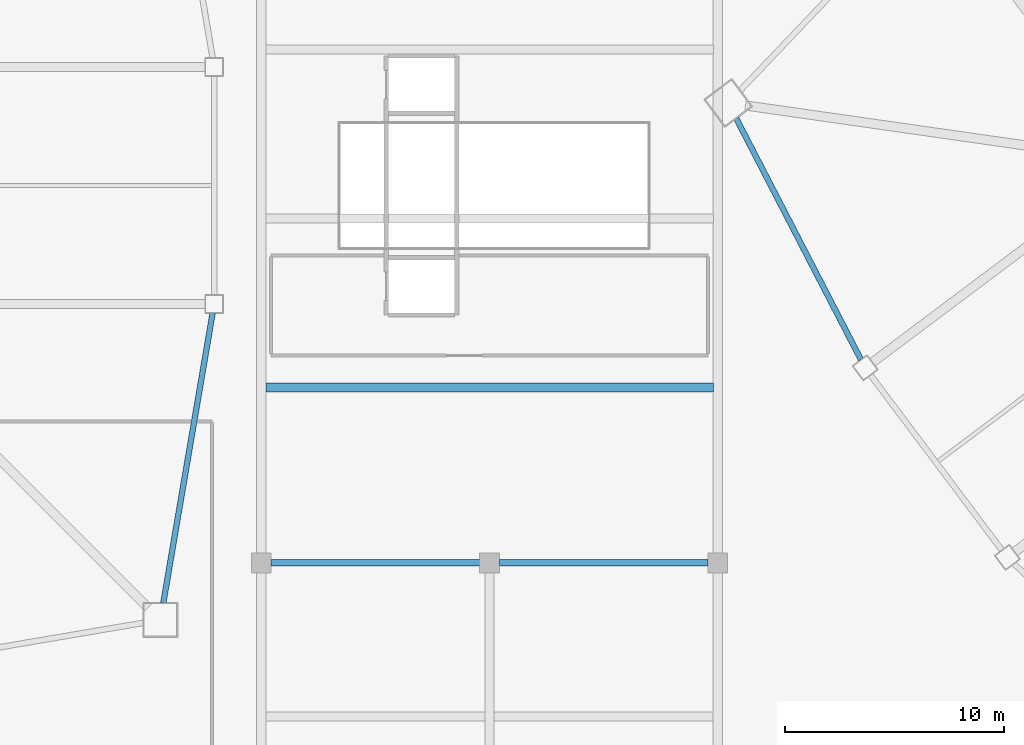
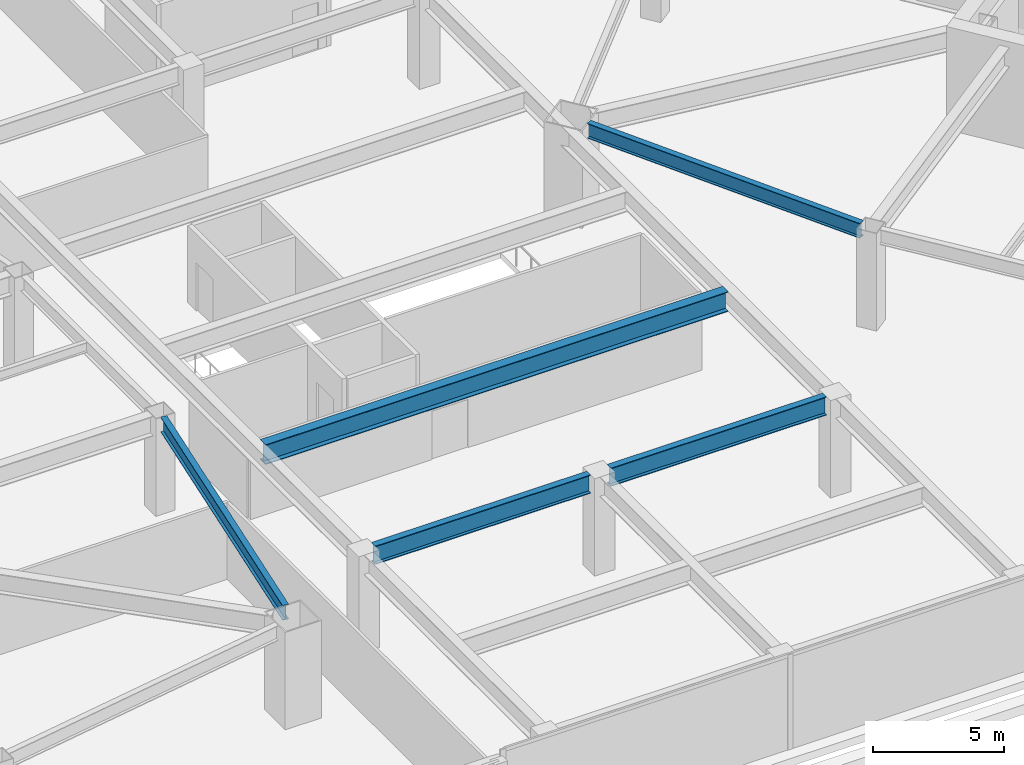
# One storey, part 17 of 44: 5 beams.
"""IFC4 building model written with IfcOpenShell, lengths in metres."""

from ifc_helpers import new_model, si_unit, direction, frame, origin, origin_2d, place, context, subcontext, project, spatial, i_section, extrude, material, material_profile, profile_set, type_object, element, save


model = new_model("IFC4")

# Units and contexts
model_context = context("Model", 3, precision=1e-05, world=origin(), true_north=direction((0.0, 1.0)))
body_context = subcontext(model_context, "Body", "Model", "MODEL_VIEW")
ifc_project = project(units=[si_unit("LENGTHUNIT", "METRE"), si_unit("AREAUNIT", "SQUARE_METRE"), si_unit("VOLUMEUNIT", "CUBIC_METRE"), si_unit("PLANEANGLEUNIT", "RADIAN"), si_unit("MASSUNIT", "GRAM", prefix="KILO")], contexts=[model_context])

# Site, building, storey
site_placement = place(None, origin())
site = spatial("IfcSite", under=ifc_project, at=site_placement, CompositionType="ELEMENT")
building_placement = place(site_placement, origin())
building = spatial("IfcBuilding", under=site, at=building_placement, Name="Tashvorn Skyway Center", CompositionType="ELEMENT")
storey_placement = place(building_placement, frame((0.0, 0.0, 5.39990234375)))
storey = spatial("IfcBuildingStorey", under=building, at=storey_placement, Name="L01", CompositionType="ELEMENT", Elevation=5.39990234375)

# Beams
ifc_material_1 = material(Name="Steel ASTM A992 Grade 50", Category="steel")
ifc_material_profile_1 = material_profile(ifc_material_1, i_section(OverallWidth=0.2919921875, OverallDepth=0.85888671875, WebThickness=0.01708984375, FlangeThickness=0.031005859375, at=origin_2d()), Name="W33X169")
ifc_profile_set_1 = profile_set([ifc_material_profile_1], Name="Steel ASTM A992 Grade 50")
beam_type_1 = type_object("IfcBeamType", Name="BM-BEAM-W33X169", PredefinedType="BEAM", material=ifc_profile_set_1)
beam_1_placement = place(storey_placement, frame((66.844970703125, 14.800048828125, 4.110595703125), z_axis=(1.0, 0.0, 0.0), x_axis=(0.0, 1.0, 0.0)))
element("IfcBeam", 1, at=beam_1_placement, inside=storey, type_object=beam_type_1, Name="L01 Central Podium Girder A 03", PredefinedType="BEAM", context=body_context, shape_type="SweptSolid", body=[
    extrude(i_section(OverallWidth=0.2919921875, OverallDepth=0.85888671875, WebThickness=0.01708984375, FlangeThickness=0.031005859375, at=origin_2d()), origin(), (0.0, 0.0, 1.0), 9.510009765625),
])
beam_2_placement = place(storey_placement, frame((77.2451171875, 14.800048828125, 4.110595703125), z_axis=(1.0, 0.0, 0.0), x_axis=(0.0, 1.0, 0.0)))
element("IfcBeam", 2, at=beam_2_placement, inside=storey, type_object=beam_type_1, Name="L01 Central Podium Girder B 03", PredefinedType="BEAM", context=body_context, shape_type="SweptSolid", body=[
    extrude(i_section(OverallWidth=0.2919921875, OverallDepth=0.85888671875, WebThickness=0.01708984375, FlangeThickness=0.031005859375, at=origin_2d()), origin(), (0.0, 0.0, 1.0), 9.509765625),
])
ifc_material_2 = material(Name="Steel ASTM A913 Grade 65", Category="steel")
ifc_material_profile_2 = material_profile(ifc_material_2, i_section(OverallWidth=0.4189453125, OverallDepth=0.927001953125, WebThickness=0.019287109375, FlangeThickness=0.031982421875, at=origin_2d()), Name="W36X231")
ifc_profile_set_2 = profile_set([ifc_material_profile_2], Name="Steel ASTM A913 Grade 65")
beam_type_2 = type_object("IfcBeamType", Name="BM-BEAM-W36X231", PredefinedType="BEAM", material=ifc_profile_set_2)
beam_3_placement = place(storey_placement, frame((66.6015625, 22.800048828125, 4.07666015625), z_axis=(1.0, 0.0, 0.0), x_axis=(0.0, 1.0, 0.0)))
element("IfcBeam", 3, at=beam_3_placement, inside=storey, type_object=beam_type_2, Name="L01 Central Concourse Span Girder 04", PredefinedType="BEAM", context=body_context, shape_type="SweptSolid", body=[
    extrude(i_section(OverallWidth=0.4189453125, OverallDepth=0.927001953125, WebThickness=0.019287109375, FlangeThickness=0.031982421875, at=origin_2d()), origin(), (0.0, 0.0, 1.0), 20.39697265625),
])
ifc_material_profile_3 = material_profile(ifc_material_1, i_section(OverallWidth=0.256103515625, OverallDepth=0.693115234375, WebThickness=0.014404296875, FlangeThickness=0.023681640625, at=origin_2d()), Name="W27X114")
ifc_profile_set_3 = profile_set([ifc_material_profile_3], Name="Steel ASTM A992 Grade 50")
beam_type_3 = type_object("IfcBeamType", Name="BM-SPANDREL-W27X114", PredefinedType="SPANDREL", material=ifc_profile_set_3)
beam_4_placement = place(storey_placement, frame((61.933349609375, 12.983642578125, 4.193603515625), z_axis=(0.16771792509, 0.985835025551, 0.0), x_axis=(-0.985835025551, 0.16771792509, 0.0)))
element("IfcBeam", 4, at=beam_4_placement, inside=storey, type_object=beam_type_3, Name="Tower 1 L01 Spandrel Beam 04", PredefinedType="SPANDREL", context=body_context, shape_type="SweptSolid", body=[
    extrude(i_section(OverallWidth=0.256103515625, OverallDepth=0.693115234375, WebThickness=0.014404296875, FlangeThickness=0.023681640625, at=origin_2d()), origin(), (0.0, 0.0, 1.0), 13.39208984375),
])
beam_5_placement = place(storey_placement, frame((88.045166015625, 35.0537109375, 4.193603515625), z_axis=(0.459233413919, -0.888315637339, 0.0), x_axis=(0.888315637339, 0.459233413919, 0.0)))
element("IfcBeam", 5, at=beam_5_placement, inside=storey, type_object=beam_type_3, Name="Tower 2 L01 Spandrel Beam 10", PredefinedType="SPANDREL", context=body_context, shape_type="SweptSolid", body=[
    extrude(i_section(OverallWidth=0.256103515625, OverallDepth=0.693115234375, WebThickness=0.014404296875, FlangeThickness=0.023681640625, at=origin_2d()), origin(), (0.0, 0.0, 1.0), 12.37255859375),
])

save(model, "model.ifc")
